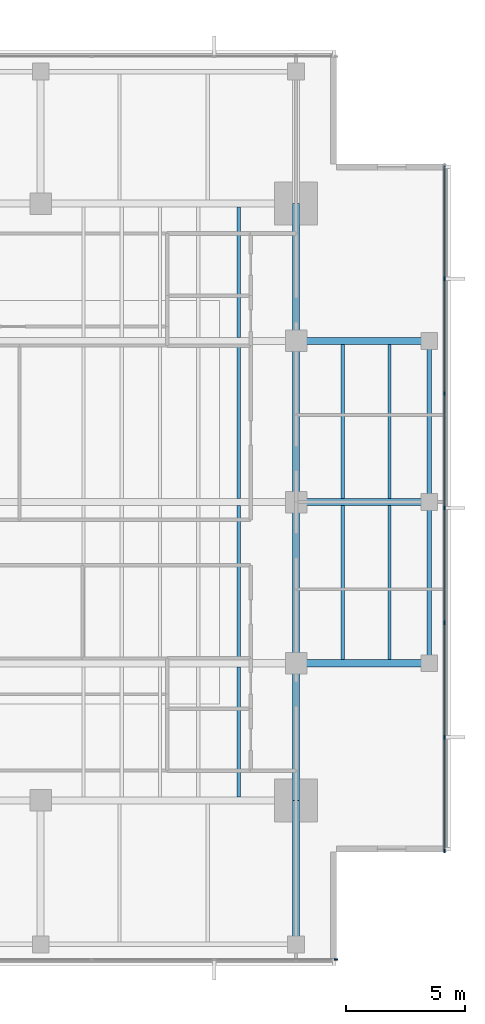
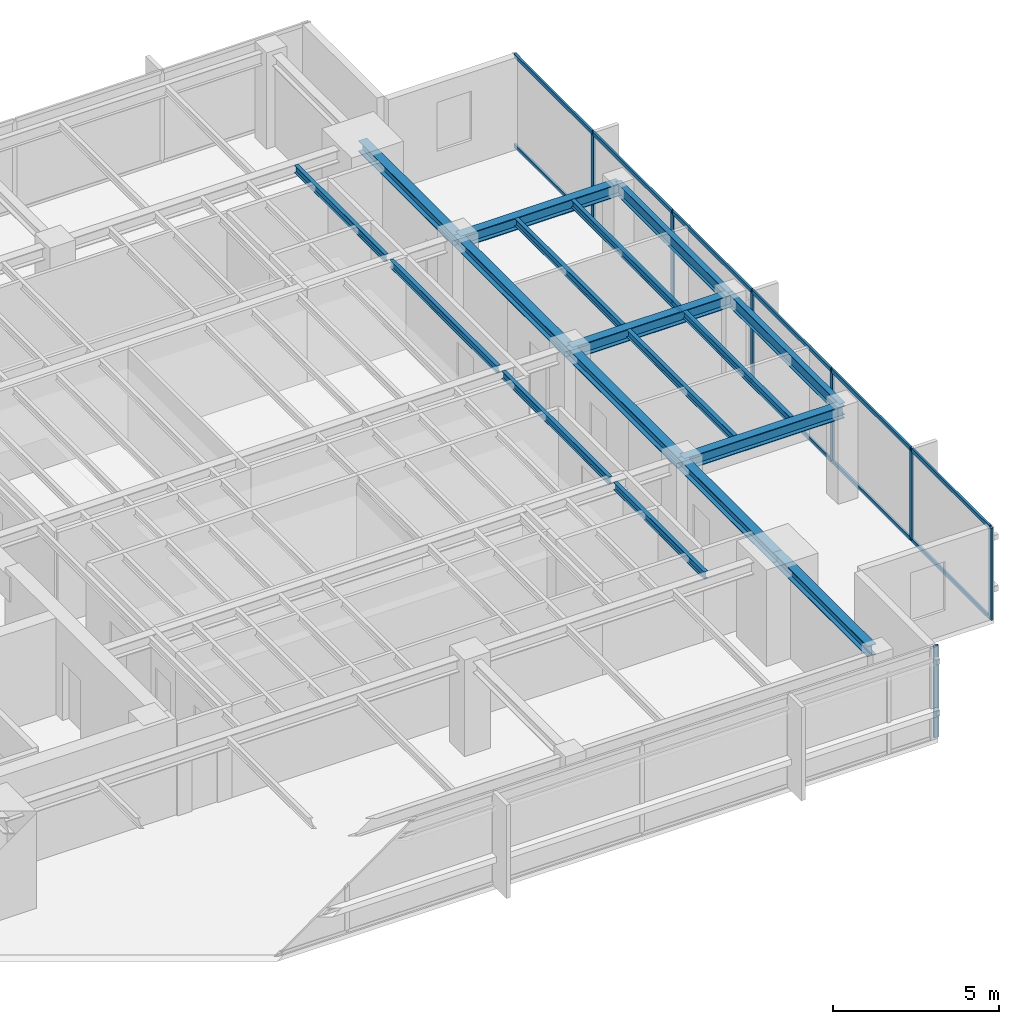
# One storey, part 4 of 14: 19 members, 18 beams, 2 elements without a shape of their own.
"""IFC4 building model written with IfcOpenShell, lengths in metres."""

from ifc_helpers import new_model, si_unit, direction, frame, origin, origin_2d, place, context, subcontext, project, spatial, rectangle, i_section, extrude, material, layer, layer_set, material_profile, profile_set, type_object, element, aggregate, save


model = new_model("IFC4")

# Units and contexts
model_context = context("Model", 3, precision=1e-05, world=origin(), true_north=direction((0.0, 1.0)))
body_context = subcontext(model_context, "Body", "Model", "MODEL_VIEW")
ifc_project = project(units=[si_unit("LENGTHUNIT", "METRE"), si_unit("AREAUNIT", "SQUARE_METRE"), si_unit("VOLUMEUNIT", "CUBIC_METRE"), si_unit("PLANEANGLEUNIT", "RADIAN"), si_unit("MASSUNIT", "GRAM", prefix="KILO")], contexts=[model_context])

# Site, building, storey
site_placement = place(None, origin())
site = spatial("IfcSite", under=ifc_project, at=site_placement, CompositionType="ELEMENT")
building_placement = place(site_placement, origin())
building = spatial("IfcBuilding", under=site, at=building_placement, Name="Kinhvarn Gate Tower", CompositionType="ELEMENT")
storey_placement = place(building_placement, frame((0.0, 0.0, 249.25)))
storey = spatial("IfcBuildingStorey", under=building, at=storey_placement, Name="L66", CompositionType="ELEMENT", Elevation=249.25)

# Curtain wall, member
ifc_material_1 = material(Name="Anodised aluminium AW-6063", Category="aluminium")
ifc_layer = layer(ifc_material_1, 0.179931640625)
ifc_layer_set = layer_set([ifc_layer], Name="Anodised aluminium AW-6063")
curtain_wall_type = type_object("IfcCurtainWallType", Name="CW-SYS-3", PredefinedType="NOTDEFINED", material=ifc_layer_set)
curtain_wall_1_placement = place(storey_placement, origin())
curtain_wall_1 = element("IfcCurtainWall", 1, at=curtain_wall_1_placement, inside=storey, type_object=curtain_wall_type, Name="Curtain Wall CW3 (L66)", PredefinedType="NOTDEFINED")
ifc_material_profile_1 = material_profile(ifc_material_1, rectangle(XDim=0.06494140625, YDim=0.159912109375, at=origin_2d()), Name="ALU 65x160")
ifc_profile_set_1 = profile_set([ifc_material_profile_1], Name="Anodised aluminium AW-6063")
member_type_1 = type_object("IfcMemberType", Name="CW-MUL-160", PredefinedType="MULLION", material=ifc_profile_set_1)
member_1_placement = place(storey_placement, frame((39.867431640625, 6.090087890625, 0.0), z_axis=(0.0, 0.0, 1.0), x_axis=(0.0, 1.0, 0.0)))
member_1 = element("IfcMember", 2, at=member_1_placement, type_object=member_type_1, Name="CW3 mullion 7", PredefinedType="MULLION", context=body_context, shape_type="SweptSolid", body=[
    extrude(rectangle(XDim=0.06494140625, YDim=0.159912109375, at=origin_2d()), origin(), (0.0, 0.0, 1.0), 3.389892578125),
])
aggregate(curtain_wall_1, [member_1])

# Curtain wall, members
curtain_wall_2_placement = place(storey_placement, origin())
curtain_wall_2 = element("IfcCurtainWall", 3, at=curtain_wall_2_placement, inside=storey, type_object=curtain_wall_type, Name="Curtain Wall CW3 (L66)", PredefinedType="NOTDEFINED")
member_2_placement = place(storey_placement, frame((44.409912109375, 10.632568359375, 0.0), z_axis=(0.0, 0.0, 1.0), x_axis=(-1.0, 0.0, 0.0)))
member_2 = element("IfcMember", 4, at=member_2_placement, type_object=member_type_1, Name="CW3 mullion 1", PredefinedType="MULLION", context=body_context, shape_type="SweptSolid", body=[
    extrude(rectangle(XDim=0.06494140625, YDim=0.159912109375, at=origin_2d()), origin(), (0.0, 0.0, 1.0), 3.389892578125),
])
member_3_placement = place(storey_placement, frame((44.409912109375, 15.39990234375, 0.0), z_axis=(0.0, 0.0, 1.0), x_axis=(-1.0, 0.0, 0.0)))
member_3 = element("IfcMember", 5, at=member_3_placement, type_object=member_type_1, Name="CW3 mullion 2", PredefinedType="MULLION", context=body_context, shape_type="SweptSolid", body=[
    extrude(rectangle(XDim=0.06494140625, YDim=0.159912109375, at=origin_2d()), origin(), (0.0, 0.0, 1.0), 3.389892578125),
])
member_4_placement = place(storey_placement, frame((44.409912109375, 20.199951171875, 0.0), z_axis=(0.0, 0.0, 1.0), x_axis=(-1.0, 0.0, 0.0)))
member_4 = element("IfcMember", 6, at=member_4_placement, type_object=member_type_1, Name="CW3 mullion 3", PredefinedType="MULLION", context=body_context, shape_type="SweptSolid", body=[
    extrude(rectangle(XDim=0.06494140625, YDim=0.159912109375, at=origin_2d()), origin(), (0.0, 0.0, 1.0), 3.389892578125),
])
member_5_placement = place(storey_placement, frame((44.409912109375, 25.0, 0.0), z_axis=(0.0, 0.0, 1.0), x_axis=(-1.0, 0.0, 0.0)))
member_5 = element("IfcMember", 7, at=member_5_placement, type_object=member_type_1, Name="CW3 mullion 4", PredefinedType="MULLION", context=body_context, shape_type="SweptSolid", body=[
    extrude(rectangle(XDim=0.06494140625, YDim=0.159912109375, at=origin_2d()), origin(), (0.0, 0.0, 1.0), 3.389892578125),
])
member_6_placement = place(storey_placement, frame((44.409912109375, 29.800048828125, 0.0), z_axis=(0.0, 0.0, 1.0), x_axis=(-1.0, 0.0, 0.0)))
member_6 = element("IfcMember", 8, at=member_6_placement, type_object=member_type_1, Name="CW3 mullion 5", PredefinedType="MULLION", context=body_context, shape_type="SweptSolid", body=[
    extrude(rectangle(XDim=0.06494140625, YDim=0.159912109375, at=origin_2d()), origin(), (0.0, 0.0, 1.0), 3.389892578125),
])
member_7_placement = place(storey_placement, frame((44.409912109375, 34.60009765625, 0.0), z_axis=(0.0, 0.0, 1.0), x_axis=(-1.0, 0.0, 0.0)))
member_7 = element("IfcMember", 9, at=member_7_placement, type_object=member_type_1, Name="CW3 mullion 6", PredefinedType="MULLION", context=body_context, shape_type="SweptSolid", body=[
    extrude(rectangle(XDim=0.06494140625, YDim=0.159912109375, at=origin_2d()), origin(), (0.0, 0.0, 1.0), 3.389892578125),
])
ifc_material_profile_2 = material_profile(ifc_material_1, rectangle(XDim=0.070068359375, YDim=0.139892578125, at=origin_2d()), Name="ALU 70x140")
ifc_profile_set_2 = profile_set([ifc_material_profile_2], Name="Anodised aluminium AW-6063")
member_type_2 = type_object("IfcMemberType", Name="CW-TRN-140", PredefinedType="USERDEFINED", material=ifc_profile_set_2)
member_8_placement = place(storey_placement, frame((44.409912109375, 10.6650390625, 0.034912109375), z_axis=(0.0, 1.0, 0.0), x_axis=(-1.0, 0.0, 0.0)))
member_8 = element("IfcMember", 10, at=member_8_placement, type_object=member_type_2, Name="CW3 transom 1.1", ObjectType="TRANSOM", PredefinedType="USERDEFINED", context=body_context, shape_type="SweptSolid", body=[
    extrude(rectangle(XDim=0.070068359375, YDim=0.139892578125, at=origin_2d()), origin(), (0.0, 0.0, 1.0), 4.702392578125),
])
member_9_placement = place(storey_placement, frame((44.409912109375, 10.6650390625, 3.35498046875), z_axis=(0.0, 1.0, 0.0), x_axis=(-1.0, 0.0, 0.0)))
member_9 = element("IfcMember", 11, at=member_9_placement, type_object=member_type_2, Name="CW3 transom 1.2", ObjectType="TRANSOM", PredefinedType="USERDEFINED", context=body_context, shape_type="SweptSolid", body=[
    extrude(rectangle(XDim=0.070068359375, YDim=0.139892578125, at=origin_2d()), origin(), (0.0, 0.0, 1.0), 4.702392578125),
])
member_10_placement = place(storey_placement, frame((44.409912109375, 15.4326171875, 0.034912109375), z_axis=(0.0, 1.0, 0.0), x_axis=(-1.0, 0.0, 0.0)))
member_10 = element("IfcMember", 12, at=member_10_placement, type_object=member_type_2, Name="CW3 transom 2.1", ObjectType="TRANSOM", PredefinedType="USERDEFINED", context=body_context, shape_type="SweptSolid", body=[
    extrude(rectangle(XDim=0.070068359375, YDim=0.139892578125, at=origin_2d()), origin(), (0.0, 0.0, 1.0), 4.73486328125),
])
member_11_placement = place(storey_placement, frame((44.409912109375, 15.4326171875, 3.35498046875), z_axis=(0.0, 1.0, 0.0), x_axis=(-1.0, 0.0, 0.0)))
member_11 = element("IfcMember", 13, at=member_11_placement, type_object=member_type_2, Name="CW3 transom 2.2", ObjectType="TRANSOM", PredefinedType="USERDEFINED", context=body_context, shape_type="SweptSolid", body=[
    extrude(rectangle(XDim=0.070068359375, YDim=0.139892578125, at=origin_2d()), origin(), (0.0, 0.0, 1.0), 4.73486328125),
])
member_12_placement = place(storey_placement, frame((44.409912109375, 20.232421875, 0.034912109375), z_axis=(0.0, 1.0, 0.0), x_axis=(-1.0, 0.0, 0.0)))
member_12 = element("IfcMember", 14, at=member_12_placement, type_object=member_type_2, Name="CW3 transom 3.1", ObjectType="TRANSOM", PredefinedType="USERDEFINED", context=body_context, shape_type="SweptSolid", body=[
    extrude(rectangle(XDim=0.070068359375, YDim=0.139892578125, at=origin_2d()), origin(), (0.0, 0.0, 1.0), 4.735107421875),
])
member_13_placement = place(storey_placement, frame((44.409912109375, 20.232421875, 3.35498046875), z_axis=(0.0, 1.0, 0.0), x_axis=(-1.0, 0.0, 0.0)))
member_13 = element("IfcMember", 15, at=member_13_placement, type_object=member_type_2, Name="CW3 transom 3.2", ObjectType="TRANSOM", PredefinedType="USERDEFINED", context=body_context, shape_type="SweptSolid", body=[
    extrude(rectangle(XDim=0.070068359375, YDim=0.139892578125, at=origin_2d()), origin(), (0.0, 0.0, 1.0), 4.735107421875),
])
member_14_placement = place(storey_placement, frame((44.409912109375, 25.032470703125, 0.034912109375), z_axis=(0.0, 1.0, 0.0), x_axis=(-1.0, 0.0, 0.0)))
member_14 = element("IfcMember", 16, at=member_14_placement, type_object=member_type_2, Name="CW3 transom 4.1", ObjectType="TRANSOM", PredefinedType="USERDEFINED", context=body_context, shape_type="SweptSolid", body=[
    extrude(rectangle(XDim=0.070068359375, YDim=0.139892578125, at=origin_2d()), origin(), (0.0, 0.0, 1.0), 4.735107421875),
])
member_15_placement = place(storey_placement, frame((44.409912109375, 25.032470703125, 3.35498046875), z_axis=(0.0, 1.0, 0.0), x_axis=(-1.0, 0.0, 0.0)))
member_15 = element("IfcMember", 17, at=member_15_placement, type_object=member_type_2, Name="CW3 transom 4.2", ObjectType="TRANSOM", PredefinedType="USERDEFINED", context=body_context, shape_type="SweptSolid", body=[
    extrude(rectangle(XDim=0.070068359375, YDim=0.139892578125, at=origin_2d()), origin(), (0.0, 0.0, 1.0), 4.735107421875),
])
member_16_placement = place(storey_placement, frame((44.409912109375, 29.83251953125, 0.034912109375), z_axis=(0.0, 1.0, 0.0), x_axis=(-1.0, 0.0, 0.0)))
member_16 = element("IfcMember", 18, at=member_16_placement, type_object=member_type_2, Name="CW3 transom 5.1", ObjectType="TRANSOM", PredefinedType="USERDEFINED", context=body_context, shape_type="SweptSolid", body=[
    extrude(rectangle(XDim=0.070068359375, YDim=0.139892578125, at=origin_2d()), origin(), (0.0, 0.0, 1.0), 4.73486328125),
])
member_17_placement = place(storey_placement, frame((44.409912109375, 29.83251953125, 3.35498046875), z_axis=(0.0, 1.0, 0.0), x_axis=(-1.0, 0.0, 0.0)))
member_17 = element("IfcMember", 19, at=member_17_placement, type_object=member_type_2, Name="CW3 transom 5.2", ObjectType="TRANSOM", PredefinedType="USERDEFINED", context=body_context, shape_type="SweptSolid", body=[
    extrude(rectangle(XDim=0.070068359375, YDim=0.139892578125, at=origin_2d()), origin(), (0.0, 0.0, 1.0), 4.73486328125),
])
member_18_placement = place(storey_placement, frame((44.409912109375, 34.632568359375, 0.034912109375), z_axis=(0.0, 1.0, 0.0), x_axis=(-1.0, 0.0, 0.0)))
member_18 = element("IfcMember", 20, at=member_18_placement, type_object=member_type_2, Name="CW3 transom 6.1", ObjectType="TRANSOM", PredefinedType="USERDEFINED", context=body_context, shape_type="SweptSolid", body=[
    extrude(rectangle(XDim=0.070068359375, YDim=0.139892578125, at=origin_2d()), origin(), (0.0, 0.0, 1.0), 4.702392578125),
])
member_19_placement = place(storey_placement, frame((44.409912109375, 34.632568359375, 3.35498046875), z_axis=(0.0, 1.0, 0.0), x_axis=(-1.0, 0.0, 0.0)))
member_19 = element("IfcMember", 21, at=member_19_placement, type_object=member_type_2, Name="CW3 transom 6.2", ObjectType="TRANSOM", PredefinedType="USERDEFINED", context=body_context, shape_type="SweptSolid", body=[
    extrude(rectangle(XDim=0.070068359375, YDim=0.139892578125, at=origin_2d()), origin(), (0.0, 0.0, 1.0), 4.702392578125),
])
aggregate(curtain_wall_2, [member_2, member_3, member_4, member_5, member_6, member_7, member_8, member_9, member_10, member_11, member_12, member_13, member_14, member_15, member_16, member_17, member_18, member_19])

# Beams
ifc_material_2 = material(Name="Steel S355", Category="steel")
ifc_material_profile_3 = material_profile(ifc_material_2, i_section(OverallWidth=0.300048828125, OverallDepth=0.39990234375, WebThickness=0.013427734375, FlangeThickness=0.02392578125, at=origin_2d()), Name="HEB 400")
ifc_profile_set_3 = profile_set([ifc_material_profile_3], Name="Steel S355")
beam_type_1 = type_object("IfcBeamType", Name="STL-HEB400", PredefinedType="BEAM", material=ifc_profile_set_3)
beam_1_placement = place(storey_placement, frame((38.199951171875, 7.054931640625, 3.18994140625), z_axis=(0.0, 1.0, 0.0), x_axis=(-1.0, 0.0, 0.0)))
element("IfcBeam", 22, at=beam_1_placement, inside=storey, type_object=beam_type_1, Name="Floor Beam PG-12 (L66 MCE-S)", PredefinedType="BEAM", context=body_context, shape_type="SweptSolid", body=[
    extrude(i_section(OverallWidth=0.300048828125, OverallDepth=0.39990234375, WebThickness=0.013427734375, FlangeThickness=0.02392578125, at=origin_2d()), origin(), (0.0, 0.0, 1.0), 5.695068359375),
])
beam_2_placement = place(storey_placement, frame((38.199951171875, 12.75, 3.18994140625), z_axis=(0.0, 1.0, 0.0), x_axis=(-1.0, 0.0, 0.0)))
element("IfcBeam", 23, at=beam_2_placement, inside=storey, type_object=beam_type_1, Name="Floor Beam PG-12 (L66 MG-E-12)", PredefinedType="BEAM", context=body_context, shape_type="SweptSolid", body=[
    extrude(i_section(OverallWidth=0.300048828125, OverallDepth=0.39990234375, WebThickness=0.013427734375, FlangeThickness=0.02392578125, at=origin_2d()), origin(), (0.0, 0.0, 1.0), 5.75),
])
for number, where, z_axis, x_axis, name in (
    (24, (38.199951171875, 18.5, 3.18994140625), (0.0, 1.0, 0.0), (-1.0, 0.0, 0.0), "Floor Beam PG-12 (L66 MG-E-18)"),
    (25, (38.199951171875, 25.25, 3.18994140625), (0.0, 1.0, 0.0), (-1.0, 0.0, 0.0), "Floor Beam PG-12 (L66 MG-E-25)"),
):
    element("IfcBeam", number, at=place(storey_placement, frame(where, z_axis=z_axis, x_axis=x_axis)), inside=storey, type_object=beam_type_1, Name=name, PredefinedType="BEAM", context=body_context, shape_type="SweptSolid", body=[
        extrude(i_section(OverallWidth=0.300048828125, OverallDepth=0.39990234375, WebThickness=0.013427734375, FlangeThickness=0.02392578125, at=origin_2d()), origin(), (0.0, 0.0, 1.0), 6.75),
    ])
beam_3_placement = place(storey_placement, frame((38.199951171875, 32.0, 3.18994140625), z_axis=(0.0, 1.0, 0.0), x_axis=(-1.0, 0.0, 0.0)))
element("IfcBeam", 26, at=beam_3_placement, inside=storey, type_object=beam_type_1, Name="Floor Beam PG-12 (L66 MG-E-32)", PredefinedType="BEAM", context=body_context, shape_type="SweptSolid", body=[
    extrude(i_section(OverallWidth=0.300048828125, OverallDepth=0.39990234375, WebThickness=0.013427734375, FlangeThickness=0.02392578125, at=origin_2d()), origin(), (0.0, 0.0, 1.0), 5.75),
])
ifc_material_profile_4 = material_profile(ifc_material_2, i_section(OverallWidth=0.300048828125, OverallDepth=0.449951171875, WebThickness=0.013916015625, FlangeThickness=0.02587890625, at=origin_2d()), Name="HEB 450")
ifc_profile_set_4 = profile_set([ifc_material_profile_4], Name="Steel S355")
beam_type_2 = type_object("IfcBeamType", Name="STL-HEB450", PredefinedType="BEAM", material=ifc_profile_set_4)
for number, where, z_axis, x_axis, name in (
    (27, (38.199951171875, 18.5, 3.1650390625), (1.0, 0.0, 0.0), (0.0, 1.0, 0.0), "Floor Beam PG-13 (L66 EW2-Y18)"),
    (28, (38.199951171875, 25.25, 3.1650390625), (1.0, 0.0, 0.0), (0.0, 1.0, 0.0), "Floor Beam PG-13 (L66 EW2-Y25)"),
    (29, (38.199951171875, 32.0, 3.1650390625), (1.0, 0.0, 0.0), (0.0, 1.0, 0.0), "Floor Beam PG-13 (L66 EW2-Y32)"),
):
    element("IfcBeam", number, at=place(storey_placement, frame(where, z_axis=z_axis, x_axis=x_axis)), inside=storey, type_object=beam_type_2, Name=name, PredefinedType="BEAM", context=body_context, shape_type="SweptSolid", body=[
        extrude(i_section(OverallWidth=0.300048828125, OverallDepth=0.449951171875, WebThickness=0.013916015625, FlangeThickness=0.02587890625, at=origin_2d()), origin(), (0.0, 0.0, 1.0), 5.580078125),
    ])
ifc_material_profile_5 = material_profile(ifc_material_2, i_section(OverallWidth=0.135009765625, OverallDepth=0.27001953125, WebThickness=0.006591796875, FlangeThickness=0.01025390625, at=origin_2d()), Name="IPE 270")
ifc_profile_set_5 = profile_set([ifc_material_profile_5], Name="Steel S355")
beam_type_3 = type_object("IfcBeamType", Name="STL-IPE270", PredefinedType="JOIST", material=ifc_profile_set_5)
beam_4_placement = place(storey_placement, frame((35.800048828125, 12.89990234375, 3.2548828125), z_axis=(0.0, 1.0, 0.0), x_axis=(-1.0, 0.0, 0.0)))
element("IfcBeam", 30, at=beam_4_placement, inside=storey, type_object=beam_type_3, Name="Floor Joist SB-01 (L66 JC-X358-0)", PredefinedType="JOIST", context=body_context, shape_type="SweptSolid", body=[
    extrude(i_section(OverallWidth=0.135009765625, OverallDepth=0.27001953125, WebThickness=0.006591796875, FlangeThickness=0.01025390625, at=origin_2d()), origin(), (0.0, 0.0, 1.0), 5.4501953125),
])
for number, where, z_axis, x_axis, name in (
    (31, (35.800048828125, 18.64990234375, 3.2548828125), (0.0, 1.0, 0.0), (-1.0, 0.0, 0.0), "Floor Joist SB-01 (L66 JC-X358-1)"),
    (32, (35.800048828125, 25.39990234375, 3.2548828125), (0.0, 1.0, 0.0), (-1.0, 0.0, 0.0), "Floor Joist SB-01 (L66 JC-X358-2)"),
):
    element("IfcBeam", number, at=place(storey_placement, frame(where, z_axis=z_axis, x_axis=x_axis)), inside=storey, type_object=beam_type_3, Name=name, PredefinedType="JOIST", context=body_context, shape_type="SweptSolid", body=[
        extrude(i_section(OverallWidth=0.135009765625, OverallDepth=0.27001953125, WebThickness=0.006591796875, FlangeThickness=0.01025390625, at=origin_2d()), origin(), (0.0, 0.0, 1.0), 6.4501953125),
    ])
beam_5_placement = place(storey_placement, frame((35.800048828125, 32.14990234375, 3.2548828125), z_axis=(0.0, 1.0, 0.0), x_axis=(-1.0, 0.0, 0.0)))
element("IfcBeam", 33, at=beam_5_placement, inside=storey, type_object=beam_type_3, Name="Floor Joist SB-01 (L66 JC-X358-3)", PredefinedType="JOIST", context=body_context, shape_type="SweptSolid", body=[
    extrude(i_section(OverallWidth=0.135009765625, OverallDepth=0.27001953125, WebThickness=0.006591796875, FlangeThickness=0.01025390625, at=origin_2d()), origin(), (0.0, 0.0, 1.0), 5.4501953125),
])
for number, where, z_axis, x_axis, name in (
    (34, (40.14990234375, 18.64990234375, 3.2548828125), (0.0, 1.0, 0.0), (-1.0, 0.0, 0.0), "Floor Joist SB-01 (L66 JC-X401-1)"),
    (35, (40.14990234375, 25.39990234375, 3.2548828125), (0.0, 1.0, 0.0), (-1.0, 0.0, 0.0), "Floor Joist SB-01 (L66 JC-X401-2)"),
    (36, (42.110107421875, 18.64990234375, 3.2548828125), (0.0, 1.0, 0.0), (-1.0, 0.0, 0.0), "Floor Joist SB-01 (L66 JC-X421-1)"),
    (37, (42.110107421875, 25.39990234375, 3.2548828125), (0.0, 1.0, 0.0), (-1.0, 0.0, 0.0), "Floor Joist SB-01 (L66 JC-X421-2)"),
):
    element("IfcBeam", number, at=place(storey_placement, frame(where, z_axis=z_axis, x_axis=x_axis)), inside=storey, type_object=beam_type_3, Name=name, PredefinedType="JOIST", context=body_context, shape_type="SweptSolid", body=[
        extrude(i_section(OverallWidth=0.135009765625, OverallDepth=0.27001953125, WebThickness=0.006591796875, FlangeThickness=0.01025390625, at=origin_2d()), origin(), (0.0, 0.0, 1.0), 6.4501953125),
    ])
ifc_material_profile_6 = material_profile(ifc_material_2, i_section(OverallWidth=0.18994140625, OverallDepth=0.449951171875, WebThickness=0.009521484375, FlangeThickness=0.0146484375, at=origin_2d()), Name="IPE 450")
ifc_profile_set_6 = profile_set([ifc_material_profile_6], Name="Steel S355")
beam_type_4 = type_object("IfcBeamType", Name="STL-IPE450", PredefinedType="JOIST", material=ifc_profile_set_6)
for number, where, z_axis, x_axis, name in (
    (38, (43.780029296875, 18.5, 3.1650390625), (0.0, 1.0, 0.0), (-1.0, 0.0, 0.0), "Floor Joist SB-06 (L66 SP-E2)"),
    (39, (43.780029296875, 25.25, 3.1650390625), (0.0, 1.0, 0.0), (-1.0, 0.0, 0.0), "Floor Joist SB-06 (L66 SP-E3)"),
):
    element("IfcBeam", number, at=place(storey_placement, frame(where, z_axis=z_axis, x_axis=x_axis)), inside=storey, type_object=beam_type_4, Name=name, PredefinedType="JOIST", context=body_context, shape_type="SweptSolid", body=[
        extrude(i_section(OverallWidth=0.18994140625, OverallDepth=0.449951171875, WebThickness=0.009521484375, FlangeThickness=0.0146484375, at=origin_2d()), origin(), (0.0, 0.0, 1.0), 6.75),
    ])

save(model, "model.ifc")
